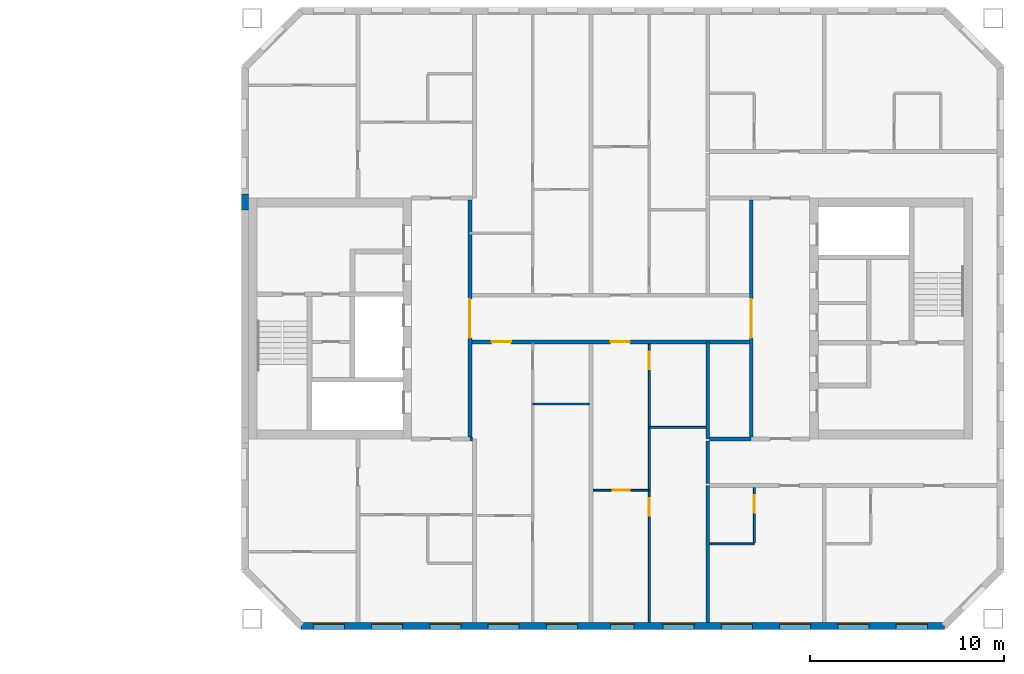
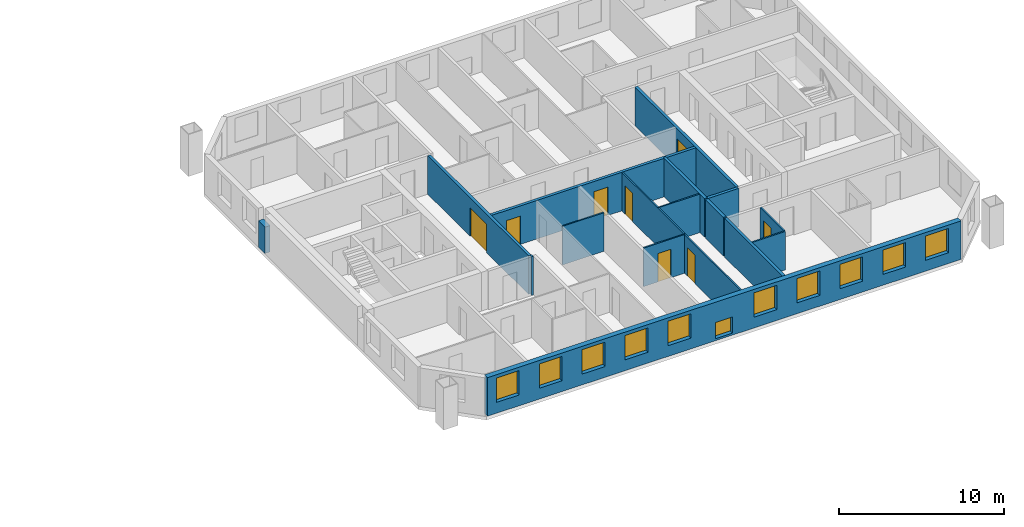
# One storey, part 9 of 15: 16 walls, 11 windows, 8 doors, 19 openings.
"""IFC4 building model written with IfcOpenShell, lengths in metres."""

from ifc_helpers import new_model, si_unit, direction, frame, frame_2d, origin, place, context, subcontext, project, spatial, rectangle, extrude, material, layer, layer_set, type_object, element, fill, save


model = new_model("IFC4")

# Units and contexts
model_context = context("Model", 3, precision=1e-05, world=origin(), true_north=direction((0.0, 1.0)))
body_context = subcontext(model_context, "Body", "Model", "MODEL_VIEW")
ifc_project = project(units=[si_unit("LENGTHUNIT", "METRE"), si_unit("AREAUNIT", "SQUARE_METRE"), si_unit("VOLUMEUNIT", "CUBIC_METRE"), si_unit("PLANEANGLEUNIT", "RADIAN"), si_unit("MASSUNIT", "GRAM", prefix="KILO")], contexts=[model_context])

# Site, building, storey
site_placement = place(None, origin())
site = spatial("IfcSite", under=ifc_project, at=site_placement, CompositionType="ELEMENT")
building_placement = place(site_placement, origin())
building = spatial("IfcBuilding", under=site, at=building_placement, Name="Tuart Gate Housing", CompositionType="ELEMENT")
storey_placement = place(building_placement, frame((0.0, 0.0, 191.300048828125)))
storey = spatial("IfcBuildingStorey", under=building, at=storey_placement, Name="L54", CompositionType="ELEMENT", Elevation=191.300048828125)

# Wall, openings, windows
ifc_material_1 = material(Name="Brick", Category="masonry")
ifc_layer_1 = layer(ifc_material_1, 0.360107421875)
ifc_layer_set_1 = layer_set([ifc_layer_1], Name="Brick pier and spandrel wall 360")
wall_type_1 = type_object("IfcWallType", Name="Brick pier and spandrel wall 360", PredefinedType="STANDARD", material=ifc_layer_set_1)
wall_1_placement = place(storey_placement, frame((134.07470703125, 54.179931640625, 0.0), z_axis=(0.0, 0.0, 1.0), x_axis=(1.0, 0.0, 0.0)))
wall_1 = element("IfcWall", 1, at=wall_1_placement, inside=storey, type_object=wall_type_1, Name="External wall B-S L54", PredefinedType="STANDARD", context=body_context, shape_type="SweptSolid", body=[
    extrude(rectangle(XDim=33.100830078125, YDim=0.360107421875, at=frame_2d((16.55029296875, 0.0))), origin(), (0.0, 0.0, 1.0), 2.849853515625),
])
opening_1_placement = place(wall_1_placement, frame((0.62548828125, 0.0, 0.800048828125)))
opening_1 = element("IfcOpeningElement", 2, at=opening_1_placement, cuts=wall_1, Name="Opening W1", PredefinedType="OPENING", context=body_context, shape_type="SweptSolid", body=[
    extrude(rectangle(XDim=1.60009765625, YDim=1.800048828125, at=frame_2d((0.800048828125, 0.89990234375))), frame((0.0, 0.18994140625, 0.0), z_axis=(0.0, -1.0, 0.0), x_axis=(1.0, 0.0, 0.0)), (0.0, 0.0, 1.0), 0.380126953125),
])
opening_2_placement = place(wall_1_placement, frame((3.62548828125, 0.0, 0.800048828125)))
opening_2 = element("IfcOpeningElement", 3, at=opening_2_placement, cuts=wall_1, Name="Opening W1", PredefinedType="OPENING", context=body_context, shape_type="SweptSolid", body=[
    extrude(rectangle(XDim=1.60009765625, YDim=1.800048828125, at=frame_2d((0.800048828125, 0.89990234375))), frame((0.0, 0.18994140625, 0.0), z_axis=(0.0, -1.0, 0.0), x_axis=(1.0, 0.0, 0.0)), (0.0, 0.0, 1.0), 0.380126953125),
])
opening_3_placement = place(wall_1_placement, frame((6.62548828125, 0.0, 0.800048828125)))
opening_3 = element("IfcOpeningElement", 4, at=opening_3_placement, cuts=wall_1, Name="Opening W1", PredefinedType="OPENING", context=body_context, shape_type="SweptSolid", body=[
    extrude(rectangle(XDim=1.60009765625, YDim=1.800048828125, at=frame_2d((0.800048828125, 0.89990234375))), frame((0.0, 0.18994140625, 0.0), z_axis=(0.0, -1.0, 0.0), x_axis=(1.0, 0.0, 0.0)), (0.0, 0.0, 1.0), 0.380126953125),
])
opening_4_placement = place(wall_1_placement, frame((9.62548828125, 0.0, 0.800048828125)))
opening_4 = element("IfcOpeningElement", 5, at=opening_4_placement, cuts=wall_1, Name="Opening W1", PredefinedType="OPENING", context=body_context, shape_type="SweptSolid", body=[
    extrude(rectangle(XDim=1.60009765625, YDim=1.800048828125, at=frame_2d((0.800048828125, 0.89990234375))), frame((0.0, 0.18994140625, 0.0), z_axis=(0.0, -1.0, 0.0), x_axis=(1.0, 0.0, 0.0)), (0.0, 0.0, 1.0), 0.380126953125),
])
opening_5_placement = place(wall_1_placement, frame((12.62548828125, 0.0, 0.800048828125)))
opening_5 = element("IfcOpeningElement", 6, at=opening_5_placement, cuts=wall_1, Name="Opening W1", PredefinedType="OPENING", context=body_context, shape_type="SweptSolid", body=[
    extrude(rectangle(XDim=1.60009765625, YDim=1.800048828125, at=frame_2d((0.800048828125, 0.89990234375))), frame((0.0, 0.18994140625, 0.0), z_axis=(0.0, -1.0, 0.0), x_axis=(1.0, 0.0, 0.0)), (0.0, 0.0, 1.0), 0.380126953125),
])
opening_6_placement = place(wall_1_placement, frame((15.92529296875, 0.0, 0.14990234375)))
opening_6 = element("IfcOpeningElement", 7, at=opening_6_placement, cuts=wall_1, Name="Opening W1N", PredefinedType="OPENING", context=body_context, shape_type="SweptSolid", body=[
    extrude(rectangle(XDim=1.199951171875, YDim=1.199951171875, at=frame_2d((0.60009765625, 0.60009765625))), frame((0.0, 0.18994140625, 0.0), z_axis=(0.0, -1.0, 0.0), x_axis=(1.0, 0.0, 0.0)), (0.0, 0.0, 1.0), 0.380126953125),
])
opening_7_placement = place(wall_1_placement, frame((18.62548828125, 0.0, 0.800048828125)))
opening_7 = element("IfcOpeningElement", 8, at=opening_7_placement, cuts=wall_1, Name="Opening W1", PredefinedType="OPENING", context=body_context, shape_type="SweptSolid", body=[
    extrude(rectangle(XDim=1.60009765625, YDim=1.800048828125, at=frame_2d((0.800048828125, 0.89990234375))), frame((0.0, 0.18994140625, 0.0), z_axis=(0.0, -1.0, 0.0), x_axis=(1.0, 0.0, 0.0)), (0.0, 0.0, 1.0), 0.380126953125),
])
opening_8_placement = place(wall_1_placement, frame((21.62548828125, 0.0, 0.800048828125)))
opening_8 = element("IfcOpeningElement", 9, at=opening_8_placement, cuts=wall_1, Name="Opening W1", PredefinedType="OPENING", context=body_context, shape_type="SweptSolid", body=[
    extrude(rectangle(XDim=1.60009765625, YDim=1.800048828125, at=frame_2d((0.800048828125, 0.89990234375))), frame((0.0, 0.18994140625, 0.0), z_axis=(0.0, -1.0, 0.0), x_axis=(1.0, 0.0, 0.0)), (0.0, 0.0, 1.0), 0.380126953125),
])
opening_9_placement = place(wall_1_placement, frame((24.62548828125, 0.0, 0.800048828125)))
opening_9 = element("IfcOpeningElement", 10, at=opening_9_placement, cuts=wall_1, Name="Opening W1", PredefinedType="OPENING", context=body_context, shape_type="SweptSolid", body=[
    extrude(rectangle(XDim=1.60009765625, YDim=1.800048828125, at=frame_2d((0.800048828125, 0.89990234375))), frame((0.0, 0.18994140625, 0.0), z_axis=(0.0, -1.0, 0.0), x_axis=(1.0, 0.0, 0.0)), (0.0, 0.0, 1.0), 0.380126953125),
])
opening_10_placement = place(wall_1_placement, frame((27.62548828125, 0.0, 0.800048828125)))
opening_10 = element("IfcOpeningElement", 11, at=opening_10_placement, cuts=wall_1, Name="Opening W1", PredefinedType="OPENING", context=body_context, shape_type="SweptSolid", body=[
    extrude(rectangle(XDim=1.60009765625, YDim=1.800048828125, at=frame_2d((0.800048828125, 0.89990234375))), frame((0.0, 0.18994140625, 0.0), z_axis=(0.0, -1.0, 0.0), x_axis=(1.0, 0.0, 0.0)), (0.0, 0.0, 1.0), 0.380126953125),
])
opening_11_placement = place(wall_1_placement, frame((30.62548828125, 0.0, 0.800048828125)))
opening_11 = element("IfcOpeningElement", 12, at=opening_11_placement, cuts=wall_1, Name="Opening W1", PredefinedType="OPENING", context=body_context, shape_type="SweptSolid", body=[
    extrude(rectangle(XDim=1.60009765625, YDim=1.800048828125, at=frame_2d((0.800048828125, 0.89990234375))), frame((0.0, 0.18994140625, 0.0), z_axis=(0.0, -1.0, 0.0), x_axis=(1.0, 0.0, 0.0)), (0.0, 0.0, 1.0), 0.380126953125),
])
ifc_material_2 = material(Name="Aluminium frame with clear glass", Category="aluminium")
window_type_1 = type_object("IfcWindowType", Name="Punched window 1200 x 1200", PartitioningType="SINGLE_PANEL", PredefinedType="WINDOW", material=ifc_material_2)
window_1_placement = place(opening_6_placement, origin())
window_1 = element("IfcWindow", 13, at=window_1_placement, inside=storey, type_object=window_type_1, Name="Window W1N", OverallHeight=1.199951171875, OverallWidth=1.199951171875, PartitioningType="SINGLE_PANEL", PredefinedType="WINDOW", context=body_context, shape_type="SweptSolid", body=[
    extrude(rectangle(XDim=1.199951171875, YDim=1.199951171875, at=frame_2d((0.60009765625, 0.60009765625))), frame((0.0, 0.150146484375, 0.0), z_axis=(0.0, -1.0, 0.0), x_axis=(1.0, 0.0, 0.0)), (0.0, 0.0, 1.0), 0.06005859375),
])
fill(opening_6, window_1)
ifc_material_3 = material(Name="Aluminium frame with clear glass", Category="aluminium")
window_type_2 = type_object("IfcWindowType", Name="Punched window 1600 x 1800", PartitioningType="SINGLE_PANEL", PredefinedType="WINDOW", material=ifc_material_3)
window_2_placement = place(opening_1_placement, origin())
window_2 = element("IfcWindow", 14, at=window_2_placement, inside=storey, type_object=window_type_2, Name="Window W1", OverallHeight=1.800048828125, OverallWidth=1.60009765625, PartitioningType="SINGLE_PANEL", PredefinedType="WINDOW", context=body_context, shape_type="SweptSolid", body=[
    extrude(rectangle(XDim=1.60009765625, YDim=1.800048828125, at=frame_2d((0.800048828125, 0.89990234375))), frame((0.0, 0.150146484375, 0.0), z_axis=(0.0, -1.0, 0.0), x_axis=(1.0, 0.0, 0.0)), (0.0, 0.0, 1.0), 0.06005859375),
])
fill(opening_1, window_2)
window_3_placement = place(opening_2_placement, origin())
window_3 = element("IfcWindow", 15, at=window_3_placement, inside=storey, type_object=window_type_2, Name="Window W1", OverallHeight=1.800048828125, OverallWidth=1.60009765625, PartitioningType="SINGLE_PANEL", PredefinedType="WINDOW", context=body_context, shape_type="SweptSolid", body=[
    extrude(rectangle(XDim=1.60009765625, YDim=1.800048828125, at=frame_2d((0.800048828125, 0.89990234375))), frame((0.0, 0.150146484375, 0.0), z_axis=(0.0, -1.0, 0.0), x_axis=(1.0, 0.0, 0.0)), (0.0, 0.0, 1.0), 0.06005859375),
])
fill(opening_2, window_3)
window_4_placement = place(opening_3_placement, origin())
window_4 = element("IfcWindow", 16, at=window_4_placement, inside=storey, type_object=window_type_2, Name="Window W1", OverallHeight=1.800048828125, OverallWidth=1.60009765625, PartitioningType="SINGLE_PANEL", PredefinedType="WINDOW", context=body_context, shape_type="SweptSolid", body=[
    extrude(rectangle(XDim=1.60009765625, YDim=1.800048828125, at=frame_2d((0.800048828125, 0.89990234375))), frame((0.0, 0.150146484375, 0.0), z_axis=(0.0, -1.0, 0.0), x_axis=(1.0, 0.0, 0.0)), (0.0, 0.0, 1.0), 0.06005859375),
])
fill(opening_3, window_4)
window_5_placement = place(opening_4_placement, origin())
window_5 = element("IfcWindow", 17, at=window_5_placement, inside=storey, type_object=window_type_2, Name="Window W1", OverallHeight=1.800048828125, OverallWidth=1.60009765625, PartitioningType="SINGLE_PANEL", PredefinedType="WINDOW", context=body_context, shape_type="SweptSolid", body=[
    extrude(rectangle(XDim=1.60009765625, YDim=1.800048828125, at=frame_2d((0.800048828125, 0.89990234375))), frame((0.0, 0.150146484375, 0.0), z_axis=(0.0, -1.0, 0.0), x_axis=(1.0, 0.0, 0.0)), (0.0, 0.0, 1.0), 0.06005859375),
])
fill(opening_4, window_5)
window_6_placement = place(opening_5_placement, origin())
window_6 = element("IfcWindow", 18, at=window_6_placement, inside=storey, type_object=window_type_2, Name="Window W1", OverallHeight=1.800048828125, OverallWidth=1.60009765625, PartitioningType="SINGLE_PANEL", PredefinedType="WINDOW", context=body_context, shape_type="SweptSolid", body=[
    extrude(rectangle(XDim=1.60009765625, YDim=1.800048828125, at=frame_2d((0.800048828125, 0.89990234375))), frame((0.0, 0.150146484375, 0.0), z_axis=(0.0, -1.0, 0.0), x_axis=(1.0, 0.0, 0.0)), (0.0, 0.0, 1.0), 0.06005859375),
])
fill(opening_5, window_6)
window_7_placement = place(opening_7_placement, origin())
window_7 = element("IfcWindow", 19, at=window_7_placement, inside=storey, type_object=window_type_2, Name="Window W1", OverallHeight=1.800048828125, OverallWidth=1.60009765625, PartitioningType="SINGLE_PANEL", PredefinedType="WINDOW", context=body_context, shape_type="SweptSolid", body=[
    extrude(rectangle(XDim=1.60009765625, YDim=1.800048828125, at=frame_2d((0.800048828125, 0.89990234375))), frame((0.0, 0.150146484375, 0.0), z_axis=(0.0, -1.0, 0.0), x_axis=(1.0, 0.0, 0.0)), (0.0, 0.0, 1.0), 0.06005859375),
])
fill(opening_7, window_7)
window_8_placement = place(opening_8_placement, origin())
window_8 = element("IfcWindow", 20, at=window_8_placement, inside=storey, type_object=window_type_2, Name="Window W1", OverallHeight=1.800048828125, OverallWidth=1.60009765625, PartitioningType="SINGLE_PANEL", PredefinedType="WINDOW", context=body_context, shape_type="SweptSolid", body=[
    extrude(rectangle(XDim=1.60009765625, YDim=1.800048828125, at=frame_2d((0.800048828125, 0.89990234375))), frame((0.0, 0.150146484375, 0.0), z_axis=(0.0, -1.0, 0.0), x_axis=(1.0, 0.0, 0.0)), (0.0, 0.0, 1.0), 0.06005859375),
])
fill(opening_8, window_8)
window_9_placement = place(opening_9_placement, origin())
window_9 = element("IfcWindow", 21, at=window_9_placement, inside=storey, type_object=window_type_2, Name="Window W1", OverallHeight=1.800048828125, OverallWidth=1.60009765625, PartitioningType="SINGLE_PANEL", PredefinedType="WINDOW", context=body_context, shape_type="SweptSolid", body=[
    extrude(rectangle(XDim=1.60009765625, YDim=1.800048828125, at=frame_2d((0.800048828125, 0.89990234375))), frame((0.0, 0.150146484375, 0.0), z_axis=(0.0, -1.0, 0.0), x_axis=(1.0, 0.0, 0.0)), (0.0, 0.0, 1.0), 0.06005859375),
])
fill(opening_9, window_9)
window_10_placement = place(opening_10_placement, origin())
window_10 = element("IfcWindow", 22, at=window_10_placement, inside=storey, type_object=window_type_2, Name="Window W1", OverallHeight=1.800048828125, OverallWidth=1.60009765625, PartitioningType="SINGLE_PANEL", PredefinedType="WINDOW", context=body_context, shape_type="SweptSolid", body=[
    extrude(rectangle(XDim=1.60009765625, YDim=1.800048828125, at=frame_2d((0.800048828125, 0.89990234375))), frame((0.0, 0.150146484375, 0.0), z_axis=(0.0, -1.0, 0.0), x_axis=(1.0, 0.0, 0.0)), (0.0, 0.0, 1.0), 0.06005859375),
])
fill(opening_10, window_10)
window_11_placement = place(opening_11_placement, origin())
window_11 = element("IfcWindow", 23, at=window_11_placement, inside=storey, type_object=window_type_2, Name="Window W1", OverallHeight=1.800048828125, OverallWidth=1.60009765625, PartitioningType="SINGLE_PANEL", PredefinedType="WINDOW", context=body_context, shape_type="SweptSolid", body=[
    extrude(rectangle(XDim=1.60009765625, YDim=1.800048828125, at=frame_2d((0.800048828125, 0.89990234375))), frame((0.0, 0.150146484375, 0.0), z_axis=(0.0, -1.0, 0.0), x_axis=(1.0, 0.0, 0.0)), (0.0, 0.0, 1.0), 0.06005859375),
])
fill(opening_11, window_11)

# Walls
wall_2_placement = place(storey_placement, frame((131.179931640625, 76.403076171875, 0.0), z_axis=(0.0, 0.0, 1.0), x_axis=(0.0, -1.0, 0.0)))
element("IfcWall", 24, at=wall_2_placement, inside=storey, type_object=wall_type_1, Name="External wall B-W L54", PredefinedType="STANDARD", context=body_context, shape_type="SweptSolid", body=[
    extrude(rectangle(XDim=0.80615234375, YDim=0.360107421875, at=frame_2d((0.403076171875, 0.0))), origin(), (0.0, 0.0, 1.0), 1.947021484375),
])
ifc_material_4 = material(Name="Concrete masonry 15 MPa", Category="masonry")
ifc_layer_2 = layer(ifc_material_4, 0.199951171875)
ifc_layer_set_2 = layer_set([ifc_layer_2], Name="Corridor wall masonry 200")
wall_type_2 = type_object("IfcWallType", Name="Corridor wall masonry 200", PredefinedType="PARTITIONING", material=ifc_layer_set_2)
wall_3_placement = place(storey_placement, frame((155.10009765625, 63.800048828125, 0.0), z_axis=(0.0, 0.0, 1.0), x_axis=(1.0, 0.0, 0.0)))
element("IfcWall", 25, at=wall_3_placement, inside=storey, type_object=wall_type_2, Name="Corridor wall masonry 200", PredefinedType="PARTITIONING", context=body_context, shape_type="SweptSolid", body=[
    extrude(rectangle(XDim=2.139892578125, YDim=0.199951171875, at=frame_2d((1.06982421875, 0.0))), origin(), (0.0, 0.0, 1.0), 2.849853515625),
])

# Wall, openings, doors
wall_4_placement = place(storey_placement, frame((142.760009765625, 68.800048828125, 0.0), z_axis=(0.0, 0.0, 1.0), x_axis=(1.0, 0.0, 0.0)))
wall_4 = element("IfcWall", 26, at=wall_4_placement, inside=storey, type_object=wall_type_2, Name="Corridor wall masonry 200", PredefinedType="PARTITIONING", context=body_context, shape_type="SweptSolid", body=[
    extrude(rectangle(XDim=14.47998046875, YDim=0.199951171875, at=frame_2d((7.239990234375, 0.0))), origin(), (0.0, 0.0, 1.0), 2.849853515625),
])
opening_12_placement = place(wall_4_placement, frame((1.1201171875, 0.0, 0.0)))
opening_12 = element("IfcOpeningElement", 27, at=opening_12_placement, cuts=wall_4, Name="Opening D2693", PredefinedType="OPENING", context=body_context, shape_type="SweptSolid", body=[
    extrude(rectangle(XDim=1.0, YDim=2.10009765625, at=frame_2d((0.5, 1.050048828125))), frame((0.0, 0.10986328125, 0.0), z_axis=(0.0, -1.0, 0.0), x_axis=(1.0, 0.0, 0.0)), (0.0, 0.0, 1.0), 0.219970703125),
])
opening_13_placement = place(wall_4_placement, frame((7.239990234375, 0.0, 0.0)))
opening_13 = element("IfcOpeningElement", 28, at=opening_13_placement, cuts=wall_4, Name="Opening D2694", PredefinedType="OPENING", context=body_context, shape_type="SweptSolid", body=[
    extrude(rectangle(XDim=1.0, YDim=2.10009765625, at=frame_2d((0.5, 1.050048828125))), frame((0.0, 0.10986328125, 0.0), z_axis=(0.0, -1.0, 0.0), x_axis=(1.0, 0.0, 0.0)), (0.0, 0.0, 1.0), 0.219970703125),
])
ifc_material_5 = material(Name="Timber door leaf in steel frame", Category="steel")
door_type_1 = type_object("IfcDoorType", Name="Flat entrance door 1000 RH", OperationType="SINGLE_SWING_RIGHT", PredefinedType="DOOR", material=ifc_material_5)
door_1_placement = place(opening_12_placement, frame((1.0, 0.0, 0.0), z_axis=(0.0, 0.0, 1.0), x_axis=(-1.0, 0.0, 0.0)))
door_1 = element("IfcDoor", 29, at=door_1_placement, inside=storey, type_object=door_type_1, Name="Flat entrance door", OperationType="SINGLE_SWING_RIGHT", OverallHeight=2.10009765625, OverallWidth=1.0, PredefinedType="DOOR", context=body_context, shape_type="SweptSolid", body=[
    extrude(rectangle(XDim=1.0, YDim=2.10009765625, at=frame_2d((0.5, 1.050048828125))), frame((0.0, 0.025146484375, 0.0), z_axis=(0.0, -1.0, 0.0), x_axis=(1.0, 0.0, 0.0)), (0.0, 0.0, 1.0), 0.050048828125),
])
fill(opening_12, door_1)
door_2_placement = place(opening_13_placement, frame((1.0, 0.0, 0.0), z_axis=(0.0, 0.0, 1.0), x_axis=(-1.0, 0.0, 0.0)))
door_2 = element("IfcDoor", 30, at=door_2_placement, inside=storey, type_object=door_type_1, Name="Flat entrance door", OperationType="SINGLE_SWING_RIGHT", OverallHeight=2.10009765625, OverallWidth=1.0, PredefinedType="DOOR", context=body_context, shape_type="SweptSolid", body=[
    extrude(rectangle(XDim=1.0, YDim=2.10009765625, at=frame_2d((0.5, 1.050048828125))), frame((0.0, 0.025146484375, 0.0), z_axis=(0.0, -1.0, 0.0), x_axis=(1.0, 0.0, 0.0)), (0.0, 0.0, 1.0), 0.050048828125),
])
fill(opening_13, door_2)

# Wall
wall_5_placement = place(storey_placement, frame((155.0, 61.5, 0.0), z_axis=(0.0, 0.0, 1.0), x_axis=(0.0, 1.0, 0.0)))
element("IfcWall", 31, at=wall_5_placement, inside=storey, type_object=wall_type_2, Name="Corridor wall masonry 200", PredefinedType="PARTITIONING", context=body_context, shape_type="SweptSolid", body=[
    extrude(rectangle(XDim=2.199951171875, YDim=0.199951171875, at=frame_2d((1.10009765625, 0.0))), origin(), (0.0, 0.0, 1.0), 2.849853515625),
])

# Wall, opening, door
ifc_material_6 = material(Name="Plasterboard partition")
ifc_layer_3 = layer(ifc_material_6, 0.199951171875)
ifc_layer_set_3 = layer_set([ifc_layer_3], Name="Lobby wall 200")
wall_type_3 = type_object("IfcWallType", Name="Lobby wall 200", PredefinedType="PARTITIONING", material=ifc_layer_set_3)
wall_6_placement = place(storey_placement, frame((142.760009765625, 63.89990234375, 0.0), z_axis=(0.0, 0.0, 1.0), x_axis=(0.0, 1.0, 0.0)))
wall_6 = element("IfcWall", 32, at=wall_6_placement, inside=storey, type_object=wall_type_3, Name="Lift lobby wall BG", PredefinedType="PARTITIONING", context=body_context, shape_type="SweptSolid", body=[
    extrude(rectangle(XDim=12.2001953125, YDim=0.199951171875, at=frame_2d((6.10009765625, 0.0))), origin(), (0.0, 0.0, 1.0), 2.849853515625),
])
opening_14_placement = place(wall_6_placement, frame((5.10009765625, 0.0, 0.0)))
opening_14 = element("IfcOpeningElement", 33, at=opening_14_placement, cuts=wall_6, Name="Opening D2686", PredefinedType="OPENING", context=body_context, shape_type="SweptSolid", body=[
    extrude(rectangle(XDim=2.0, YDim=2.10009765625, at=frame_2d((1.0, 1.050048828125))), frame((0.0, 0.10986328125, 0.0), z_axis=(0.0, -1.0, 0.0), x_axis=(1.0, 0.0, 0.0)), (0.0, 0.0, 1.0), 0.219970703125),
])
ifc_material_7 = material(Name="Steel fire door", Category="steel")
door_type_2 = type_object("IfcDoorType", Name="Smoke door 2000 x 2100", OperationType="DOUBLE_DOOR_SINGLE_SWING", PredefinedType="DOOR", material=ifc_material_7)
door_3_placement = place(opening_14_placement, origin())
door_3 = element("IfcDoor", 34, at=door_3_placement, inside=storey, type_object=door_type_2, Name="Lift lobby smoke door BG", OperationType="DOUBLE_DOOR_SINGLE_SWING", OverallHeight=2.10009765625, OverallWidth=2.0, PredefinedType="DOOR", context=body_context, shape_type="SweptSolid", body=[
    extrude(rectangle(XDim=2.0, YDim=2.10009765625, at=frame_2d((1.0, 1.050048828125))), frame((0.0, 0.02490234375, 0.0), z_axis=(0.0, -1.0, 0.0), x_axis=(1.0, 0.0, 0.0)), (0.0, 0.0, 1.0), 0.050048828125),
])
fill(opening_14, door_3)

wall_7_placement = place(storey_placement, frame((157.239990234375, 63.89990234375, 0.0), z_axis=(0.0, 0.0, 1.0), x_axis=(0.0, 1.0, 0.0)))
wall_7 = element("IfcWall", 35, at=wall_7_placement, inside=storey, type_object=wall_type_3, Name="Lift lobby wall BK", PredefinedType="PARTITIONING", context=body_context, shape_type="SweptSolid", body=[
    extrude(rectangle(XDim=12.2001953125, YDim=0.199951171875, at=frame_2d((6.10009765625, 0.0))), origin(), (0.0, 0.0, 1.0), 2.849853515625),
])
opening_15_placement = place(wall_7_placement, frame((5.10009765625, 0.0, 0.0)))
opening_15 = element("IfcOpeningElement", 36, at=opening_15_placement, cuts=wall_7, Name="Opening D2687", PredefinedType="OPENING", context=body_context, shape_type="SweptSolid", body=[
    extrude(rectangle(XDim=2.0, YDim=2.10009765625, at=frame_2d((1.0, 1.050048828125))), frame((0.0, 0.10986328125, 0.0), z_axis=(0.0, -1.0, 0.0), x_axis=(1.0, 0.0, 0.0)), (0.0, 0.0, 1.0), 0.219970703125),
])
door_4_placement = place(opening_15_placement, frame((2.0, 0.0, 0.0), z_axis=(0.0, 0.0, 1.0), x_axis=(-1.0, 0.0, 0.0)))
door_4 = element("IfcDoor", 37, at=door_4_placement, inside=storey, type_object=door_type_2, Name="Lift lobby smoke door BK", OperationType="DOUBLE_DOOR_SINGLE_SWING", OverallHeight=2.10009765625, OverallWidth=2.0, PredefinedType="DOOR", context=body_context, shape_type="SweptSolid", body=[
    extrude(rectangle(XDim=2.0, YDim=2.10009765625, at=frame_2d((1.0, 1.050048828125))), frame((0.0, 0.025146484375, 0.0), z_axis=(0.0, -1.0, 0.0), x_axis=(1.0, 0.0, 0.0)), (0.0, 0.0, 1.0), 0.050048828125),
])
fill(opening_15, door_4)

# Wall
ifc_material_8 = material(Name="Gypsum board on steel studs", Category="steel")
ifc_layer_4 = layer(ifc_material_8, 0.10009765625)
ifc_layer_set_4 = layer_set([ifc_layer_4], Name="Partition 100")
wall_type_4 = type_object("IfcWallType", Name="Partition 100", PredefinedType="PARTITIONING", material=ifc_layer_set_4)
wall_8_placement = place(storey_placement, frame((155.10009765625, 58.39990234375, 0.0), z_axis=(0.0, 0.0, 1.0), x_axis=(1.0, 0.0, 0.0)))
element("IfcWall", 38, at=wall_8_placement, inside=storey, type_object=wall_type_4, Name="Partition 100", PredefinedType="PARTITIONING", context=body_context, shape_type="SweptSolid", body=[
    extrude(rectangle(XDim=2.2998046875, YDim=0.10009765625, at=frame_2d((1.14990234375, 0.0))), origin(), (0.0, 0.0, 1.0), 2.849853515625),
])

# Wall, opening, door
wall_9_placement = place(storey_placement, frame((149.10009765625, 61.159912109375, 0.0), z_axis=(0.0, 0.0, 1.0), x_axis=(1.0, 0.0, 0.0)))
wall_9 = element("IfcWall", 39, at=wall_9_placement, inside=storey, type_object=wall_type_4, Name="Partition 100", PredefinedType="PARTITIONING", context=body_context, shape_type="SweptSolid", body=[
    extrude(rectangle(XDim=2.89990234375, YDim=0.10009765625, at=frame_2d((1.449951171875, 0.0))), origin(), (0.0, 0.0, 1.0), 2.849853515625),
])
opening_16_placement = place(wall_9_placement, frame((1.0, 0.0, 0.0)))
opening_16 = element("IfcOpeningElement", 40, at=opening_16_placement, cuts=wall_9, Name="Opening D2705", PredefinedType="OPENING", context=body_context, shape_type="SweptSolid", body=[
    extrude(rectangle(XDim=0.89990234375, YDim=2.10009765625, at=frame_2d((0.449951171875, 1.050048828125))), frame((0.0, 0.06005859375, 0.0), z_axis=(0.0, -1.0, 0.0), x_axis=(1.0, 0.0, 0.0)), (0.0, 0.0, 1.0), 0.1201171875),
])
ifc_material_9 = material(Name="Timber door leaf in steel frame", Category="steel")
door_type_3 = type_object("IfcDoorType", Name="Internal door 900 RH", OperationType="SINGLE_SWING_RIGHT", PredefinedType="DOOR", material=ifc_material_9)
door_5_placement = place(opening_16_placement, origin())
door_5 = element("IfcDoor", 41, at=door_5_placement, inside=storey, type_object=door_type_3, Name="Internal door", OperationType="SINGLE_SWING_RIGHT", OverallHeight=2.10009765625, OverallWidth=0.89990234375, PredefinedType="DOOR", context=body_context, shape_type="SweptSolid", body=[
    extrude(rectangle(XDim=0.89990234375, YDim=2.10009765625, at=frame_2d((0.449951171875, 1.050048828125))), frame((0.0, 0.02490234375, 0.0), z_axis=(0.0, -1.0, 0.0), x_axis=(1.0, 0.0, 0.0)), (0.0, 0.0, 1.0), 0.050048828125),
])
fill(opening_16, door_5)

# Walls
for number, where, z_axis, x_axis, name in (
    (42, (152.0, 64.39990234375, 0.0), (0.0, 0.0, 1.0), (1.0, 0.0, 0.0), "Partition 100"),
    (43, (146.0, 65.60009765625, 0.0), (0.0, 0.0, 1.0), (1.0, 0.0, 0.0), "Partition 100"),
):
    element("IfcWall", number, at=place(storey_placement, frame(where, z_axis=z_axis, x_axis=x_axis)), inside=storey, type_object=wall_type_4, Name=name, PredefinedType="PARTITIONING", context=body_context, shape_type="SweptSolid", body=[
        extrude(rectangle(XDim=2.89990234375, YDim=0.10009765625, at=frame_2d((1.449951171875, 0.0))), origin(), (0.0, 0.0, 1.0), 2.849853515625),
    ])

# Wall, openings, doors
wall_10_placement = place(storey_placement, frame((152.0, 54.360107421875, 0.0), z_axis=(0.0, 0.0, 1.0), x_axis=(0.0, 1.0, 0.0)))
wall_10 = element("IfcWall", 44, at=wall_10_placement, inside=storey, type_object=wall_type_4, Name="Partition 100", PredefinedType="PARTITIONING", context=body_context, shape_type="SweptSolid", body=[
    extrude(rectangle(XDim=14.33984375, YDim=0.10009765625, at=frame_2d((7.169921875, 0.0))), origin(), (0.0, 0.0, 1.0), 2.849853515625),
])
opening_17_placement = place(wall_10_placement, frame((5.5, 0.0, 0.0)))
opening_17 = element("IfcOpeningElement", 45, at=opening_17_placement, cuts=wall_10, Name="Opening D2702", PredefinedType="OPENING", context=body_context, shape_type="SweptSolid", body=[
    extrude(rectangle(XDim=0.89990234375, YDim=2.10009765625, at=frame_2d((0.449951171875, 1.050048828125))), frame((0.0, 0.06005859375, 0.0), z_axis=(0.0, -1.0, 0.0), x_axis=(1.0, 0.0, 0.0)), (0.0, 0.0, 1.0), 0.1201171875),
])
opening_18_placement = place(wall_10_placement, frame((13.0400390625, 0.0, 0.0)))
opening_18 = element("IfcOpeningElement", 46, at=opening_18_placement, cuts=wall_10, Name="Opening D2701", PredefinedType="OPENING", context=body_context, shape_type="SweptSolid", body=[
    extrude(rectangle(XDim=0.89990234375, YDim=2.10009765625, at=frame_2d((0.449951171875, 1.050048828125))), frame((0.0, 0.06005859375, 0.0), z_axis=(0.0, -1.0, 0.0), x_axis=(1.0, 0.0, 0.0)), (0.0, 0.0, 1.0), 0.1201171875),
])
ifc_material_10 = material(Name="Timber door leaf in steel frame", Category="steel")
door_type_4 = type_object("IfcDoorType", Name="Bathroom door 900", OperationType="SINGLE_SWING_LEFT", PredefinedType="DOOR", material=ifc_material_10)
door_6_placement = place(opening_18_placement, frame((0.89990234375, 0.0, 0.0), z_axis=(0.0, 0.0, 1.0), x_axis=(-1.0, 0.0, 0.0)))
door_6 = element("IfcDoor", 47, at=door_6_placement, inside=storey, type_object=door_type_4, Name="Bathroom door", OperationType="SINGLE_SWING_LEFT", OverallHeight=2.10009765625, OverallWidth=0.89990234375, PredefinedType="DOOR", context=body_context, shape_type="SweptSolid", body=[
    extrude(rectangle(XDim=0.89990234375, YDim=2.10009765625, at=frame_2d((0.449951171875, 1.050048828125))), frame((0.0, 0.025146484375, 0.0), z_axis=(0.0, -1.0, 0.0), x_axis=(1.0, 0.0, 0.0)), (0.0, 0.0, 1.0), 0.050048828125),
])
fill(opening_18, door_6)
ifc_material_11 = material(Name="Timber door leaf in steel frame", Category="steel")
door_type_5 = type_object("IfcDoorType", Name="Internal door 900", OperationType="SINGLE_SWING_LEFT", PredefinedType="DOOR", material=ifc_material_11)
door_7_placement = place(opening_17_placement, frame((0.89990234375, 0.0, 0.0), z_axis=(0.0, 0.0, 1.0), x_axis=(-1.0, 0.0, 0.0)))
door_7 = element("IfcDoor", 48, at=door_7_placement, inside=storey, type_object=door_type_5, Name="Internal door", OperationType="SINGLE_SWING_LEFT", OverallHeight=2.10009765625, OverallWidth=0.89990234375, PredefinedType="DOOR", context=body_context, shape_type="SweptSolid", body=[
    extrude(rectangle(XDim=0.89990234375, YDim=2.10009765625, at=frame_2d((0.449951171875, 1.050048828125))), frame((0.0, 0.025146484375, 0.0), z_axis=(0.0, -1.0, 0.0), x_axis=(1.0, 0.0, 0.0)), (0.0, 0.0, 1.0), 0.050048828125),
])
fill(opening_17, door_7)

# Wall, opening, door
wall_11_placement = place(storey_placement, frame((157.39990234375, 58.449951171875, 0.0), z_axis=(0.0, 0.0, 1.0), x_axis=(0.0, 1.0, 0.0)))
wall_11 = element("IfcWall", 49, at=wall_11_placement, inside=storey, type_object=wall_type_4, Name="Partition 100", PredefinedType="PARTITIONING", context=body_context, shape_type="SweptSolid", body=[
    extrude(rectangle(XDim=2.85009765625, YDim=0.10009765625, at=frame_2d((1.425048828125, 0.0))), origin(), (0.0, 0.0, 1.0), 2.849853515625),
])
opening_19_placement = place(wall_11_placement, frame((1.550048828125, 0.0, 0.0)))
opening_19 = element("IfcOpeningElement", 50, at=opening_19_placement, cuts=wall_11, Name="Opening D2708", PredefinedType="OPENING", context=body_context, shape_type="SweptSolid", body=[
    extrude(rectangle(XDim=0.89990234375, YDim=2.10009765625, at=frame_2d((0.449951171875, 1.050048828125))), frame((0.0, 0.06005859375, 0.0), z_axis=(0.0, -1.0, 0.0), x_axis=(1.0, 0.0, 0.0)), (0.0, 0.0, 1.0), 0.1201171875),
])
ifc_material_12 = material(Name="Timber door leaf in steel frame", Category="steel")
door_type_6 = type_object("IfcDoorType", Name="Bathroom door 900 RH", OperationType="SINGLE_SWING_RIGHT", PredefinedType="DOOR", material=ifc_material_12)
door_8_placement = place(opening_19_placement, origin())
door_8 = element("IfcDoor", 51, at=door_8_placement, inside=storey, type_object=door_type_6, Name="Bathroom door", OperationType="SINGLE_SWING_RIGHT", OverallHeight=2.10009765625, OverallWidth=0.89990234375, PredefinedType="DOOR", context=body_context, shape_type="SweptSolid", body=[
    extrude(rectangle(XDim=0.89990234375, YDim=2.10009765625, at=frame_2d((0.449951171875, 1.050048828125))), frame((0.0, 0.02490234375, 0.0), z_axis=(0.0, -1.0, 0.0), x_axis=(1.0, 0.0, 0.0)), (0.0, 0.0, 1.0), 0.050048828125),
])
fill(opening_19, door_8)

# Walls
ifc_material_13 = material(Name="Concrete C40", Category="concrete")
ifc_layer_5 = layer(ifc_material_13, 0.199951171875)
ifc_layer_set_5 = layer_set([ifc_layer_5], Name="Party wall concrete C40 200")
wall_type_5 = type_object("IfcWallType", Name="Party wall concrete C40 200", PredefinedType="SOLIDWALL", material=ifc_layer_set_5)
wall_12_placement = place(storey_placement, frame((155.0, 54.360107421875, 0.0), z_axis=(0.0, 0.0, 1.0), x_axis=(0.0, 1.0, 0.0)))
element("IfcWall", 52, at=wall_12_placement, inside=storey, type_object=wall_type_5, Name="Party wall concrete C40 200", PredefinedType="SOLIDWALL", context=body_context, shape_type="SweptSolid", body=[
    extrude(rectangle(XDim=7.039794921875, YDim=0.199951171875, at=frame_2d((3.52001953125, 0.0))), origin(), (0.0, 0.0, 1.0), 2.849853515625),
])
wall_13_placement = place(storey_placement, frame((155.0, 63.800048828125, 0.0), z_axis=(0.0, 0.0, 1.0), x_axis=(0.0, 1.0, 0.0)))
element("IfcWall", 53, at=wall_13_placement, inside=storey, type_object=wall_type_5, Name="Party wall concrete C40 200", PredefinedType="SOLIDWALL", context=body_context, shape_type="SweptSolid", body=[
    extrude(rectangle(XDim=5.0, YDim=0.199951171875, at=frame_2d((2.5, 0.0))), origin(), (0.0, 0.0, 1.0), 2.849853515625),
])
ifc_material_14 = material(Name="Concrete masonry 15 MPa", Category="masonry")
ifc_layer_6 = layer(ifc_material_14, 0.199951171875)
ifc_layer_set_6 = layer_set([ifc_layer_6], Name="Party wall masonry 200")
wall_type_6 = type_object("IfcWallType", Name="Party wall masonry 200", PredefinedType="PARTITIONING", material=ifc_layer_set_6)
wall_14_placement = place(storey_placement, frame((142.760009765625, 63.800048828125, 0.0), z_axis=(0.0, 0.0, 1.0), x_axis=(1.0, 0.0, 0.0)))
element("IfcWall", 54, at=wall_14_placement, inside=storey, type_object=wall_type_6, Name="Party wall masonry 200", PredefinedType="PARTITIONING", context=body_context, shape_type="SweptSolid", body=[
    extrude(rectangle(XDim=0.139892578125, YDim=0.199951171875, at=frame_2d((0.06982421875, 0.0))), origin(), (0.0, 0.0, 1.0), 2.849853515625),
])

save(model, "model.ifc")
